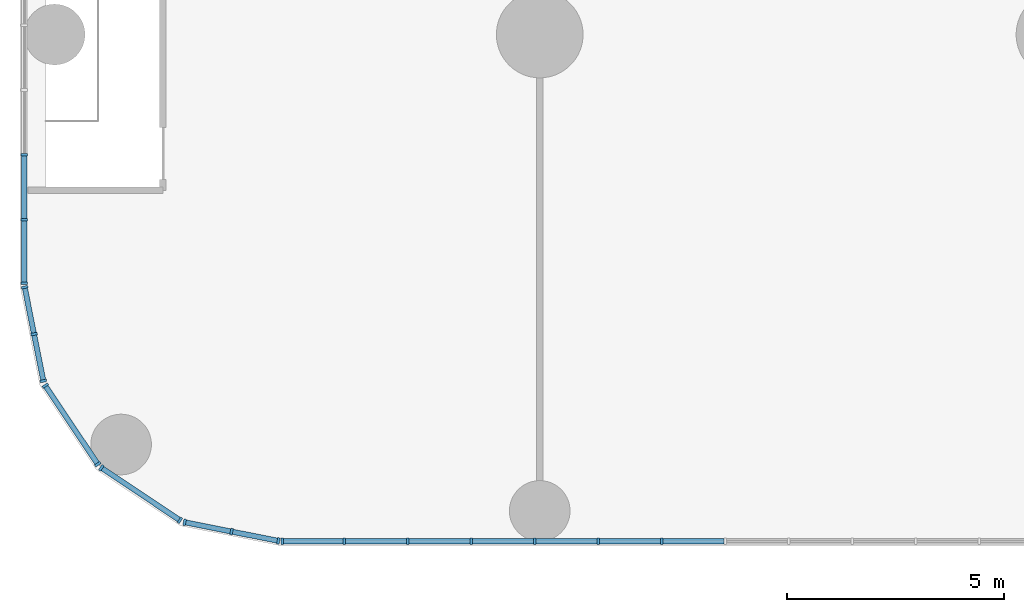
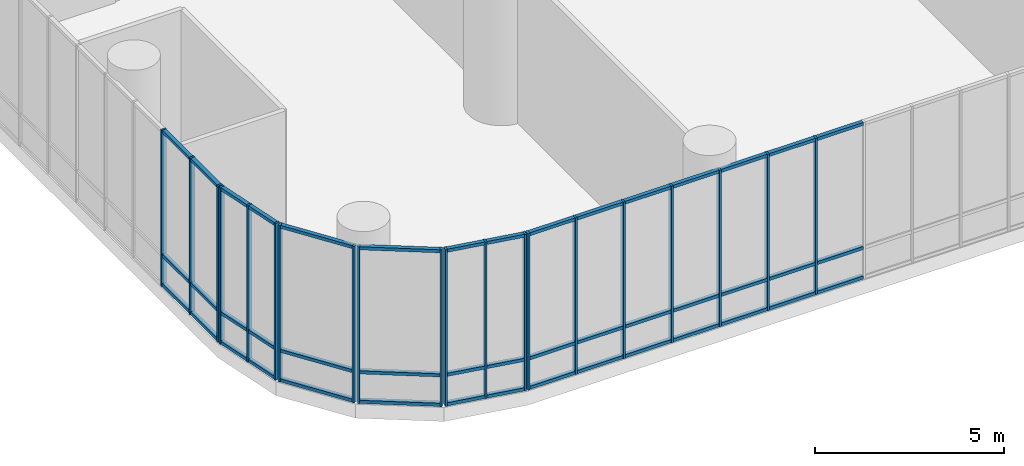
# One storey, part 2 of 30: 65 members, 6 elements without a shape of their own.
"""IFC4 building model written with IfcOpenShell, lengths in metres."""

from ifc_helpers import new_model, si_unit, direction, frame, origin, origin_2d, place, context, subcontext, project, spatial, rectangle, extrude, material, layer, layer_set, material_profile, profile_set, type_object, element, aggregate, save


model = new_model("IFC4")

# Units and contexts
model_context = context("Model", 3, precision=1e-05, world=origin(), true_north=direction((0.0, 1.0)))
body_context = subcontext(model_context, "Body", "Model", "MODEL_VIEW")
ifc_project = project(units=[si_unit("LENGTHUNIT", "METRE"), si_unit("AREAUNIT", "SQUARE_METRE"), si_unit("VOLUMEUNIT", "CUBIC_METRE"), si_unit("PLANEANGLEUNIT", "RADIAN"), si_unit("MASSUNIT", "GRAM", prefix="KILO")], contexts=[model_context])

# Site, building, storey
site_placement = place(None, origin())
site = spatial("IfcSite", under=ifc_project, at=site_placement, CompositionType="ELEMENT")
building_placement = place(site_placement, origin())
building = spatial("IfcBuilding", under=site, at=building_placement, Name="Torana Hotel and Residences", CompositionType="ELEMENT")
storey_placement = place(building_placement, frame((0.0, 0.0, 12.5)))
storey = spatial("IfcBuildingStorey", under=building, at=storey_placement, Name="L02", CompositionType="ELEMENT", Elevation=12.5)

# Curtain wall, members
ifc_material_1 = material(Name="Dark anodised aluminium", Category="aluminium")
ifc_layer = layer(ifc_material_1, 0.14990234375)
ifc_layer_set = layer_set([ifc_layer], Name="CW5 PODIUM UPPER UNITISED CURTAIN WALL")
curtain_wall_type = type_object("IfcCurtainWallType", Name="CW5 PODIUM UPPER UNITISED CURTAIN WALL", PredefinedType="NOTDEFINED", material=ifc_layer_set)
curtain_wall_1_placement = place(storey_placement, origin())
curtain_wall_1 = element("IfcCurtainWall", 1, at=curtain_wall_1_placement, inside=storey, type_object=curtain_wall_type, Name="Curtain wall CW5 L02 e0.0", PredefinedType="NOTDEFINED")
ifc_material_2 = material(Name="Dark anodised aluminium", Category="aluminium")
ifc_material_profile_1 = material_profile(ifc_material_2, rectangle(XDim=0.14990234375, YDim=0.06005859375, at=origin_2d()), Name="CW5 MULLION 60x150")
ifc_profile_set_1 = profile_set([ifc_material_profile_1], Name="Dark anodised aluminium")
member_type_1 = type_object("IfcMemberType", Name="CW5 MULLION 60x150", PredefinedType="MULLION", material=ifc_profile_set_1)
member_1_placement = place(storey_placement, frame((-41.9453125, -39.89990234375, 0.0), z_axis=(0.0, 0.0, 1.0), x_axis=(0.0, 1.0, 0.0)))
member_1 = element("IfcMember", 2, at=member_1_placement, type_object=member_type_1, Name="CW5 mullion 1", PredefinedType="MULLION", context=body_context, shape_type="SweptSolid", body=[
    extrude(rectangle(XDim=0.14990234375, YDim=0.06005859375, at=origin_2d()), origin(), (0.0, 0.0, 1.0), 5.050048828125),
])
member_2_placement = place(storey_placement, frame((-40.510009765625, -39.89990234375, 0.0), z_axis=(0.0, 0.0, 1.0), x_axis=(0.0, 1.0, 0.0)))
member_2 = element("IfcMember", 3, at=member_2_placement, type_object=member_type_1, Name="CW5 mullion 2", PredefinedType="MULLION", context=body_context, shape_type="SweptSolid", body=[
    extrude(rectangle(XDim=0.14990234375, YDim=0.06005859375, at=origin_2d()), origin(), (0.0, 0.0, 1.0), 5.050048828125),
])
member_3_placement = place(storey_placement, frame((-39.04443359375, -39.89990234375, 0.0), z_axis=(0.0, 0.0, 1.0), x_axis=(0.0, 1.0, 0.0)))
member_3 = element("IfcMember", 4, at=member_3_placement, type_object=member_type_1, Name="CW5 mullion 3", PredefinedType="MULLION", context=body_context, shape_type="SweptSolid", body=[
    extrude(rectangle(XDim=0.14990234375, YDim=0.06005859375, at=origin_2d()), origin(), (0.0, 0.0, 1.0), 5.050048828125),
])
member_4_placement = place(storey_placement, frame((-37.578857421875, -39.89990234375, 0.0), z_axis=(0.0, 0.0, 1.0), x_axis=(0.0, 1.0, 0.0)))
member_4 = element("IfcMember", 5, at=member_4_placement, type_object=member_type_1, Name="CW5 mullion 4", PredefinedType="MULLION", context=body_context, shape_type="SweptSolid", body=[
    extrude(rectangle(XDim=0.14990234375, YDim=0.06005859375, at=origin_2d()), origin(), (0.0, 0.0, 1.0), 5.050048828125),
])
member_5_placement = place(storey_placement, frame((-36.113525390625, -39.89990234375, 0.0), z_axis=(0.0, 0.0, 1.0), x_axis=(0.0, 1.0, 0.0)))
member_5 = element("IfcMember", 6, at=member_5_placement, type_object=member_type_1, Name="CW5 mullion 5", PredefinedType="MULLION", context=body_context, shape_type="SweptSolid", body=[
    extrude(rectangle(XDim=0.14990234375, YDim=0.06005859375, at=origin_2d()), origin(), (0.0, 0.0, 1.0), 5.050048828125),
])
member_6_placement = place(storey_placement, frame((-34.64794921875, -39.89990234375, 0.0), z_axis=(0.0, 0.0, 1.0), x_axis=(0.0, 1.0, 0.0)))
member_6 = element("IfcMember", 7, at=member_6_placement, type_object=member_type_1, Name="CW5 mullion 6", PredefinedType="MULLION", context=body_context, shape_type="SweptSolid", body=[
    extrude(rectangle(XDim=0.14990234375, YDim=0.06005859375, at=origin_2d()), origin(), (0.0, 0.0, 1.0), 5.050048828125),
])
member_7_placement = place(storey_placement, frame((-33.182373046875, -39.89990234375, 0.0), z_axis=(0.0, 0.0, 1.0), x_axis=(0.0, 1.0, 0.0)))
member_7 = element("IfcMember", 8, at=member_7_placement, type_object=member_type_1, Name="CW5 mullion 7", PredefinedType="MULLION", context=body_context, shape_type="SweptSolid", body=[
    extrude(rectangle(XDim=0.14990234375, YDim=0.06005859375, at=origin_2d()), origin(), (0.0, 0.0, 1.0), 5.050048828125),
])

curtain_wall_2_placement = place(storey_placement, origin())
curtain_wall_2 = element("IfcCurtainWall", 9, at=curtain_wall_2_placement, inside=storey, type_object=curtain_wall_type, Name="Curtain wall CW5 L02 e0.7", PredefinedType="NOTDEFINED")
member_8_placement = place(storey_placement, frame((-47.89990234375, -30.9794921875, 0.0), z_axis=(0.0, 0.0, 1.0), x_axis=(1.0, 0.0, 0.0)))
member_8 = element("IfcMember", 10, at=member_8_placement, type_object=member_type_1, Name="CW5 mullion 23", PredefinedType="MULLION", context=body_context, shape_type="SweptSolid", body=[
    extrude(rectangle(XDim=0.14990234375, YDim=0.06005859375, at=origin_2d()), origin(), (0.0, 0.0, 1.0), 5.050048828125),
])
member_9_placement = place(storey_placement, frame((-47.89990234375, -32.4775390625, 0.0), z_axis=(0.0, 0.0, 1.0), x_axis=(1.0, 0.0, 0.0)))
member_9 = element("IfcMember", 11, at=member_9_placement, type_object=member_type_1, Name="CW5 mullion 24", PredefinedType="MULLION", context=body_context, shape_type="SweptSolid", body=[
    extrude(rectangle(XDim=0.14990234375, YDim=0.06005859375, at=origin_2d()), origin(), (0.0, 0.0, 1.0), 5.050048828125),
])
member_10_placement = place(storey_placement, frame((-47.89990234375, -33.9453125, 0.0), z_axis=(0.0, 0.0, 1.0), x_axis=(1.0, 0.0, 0.0)))
member_10 = element("IfcMember", 12, at=member_10_placement, type_object=member_type_1, Name="CW5 mullion 25", PredefinedType="MULLION", context=body_context, shape_type="SweptSolid", body=[
    extrude(rectangle(XDim=0.14990234375, YDim=0.06005859375, at=origin_2d()), origin(), (0.0, 0.0, 1.0), 5.050048828125),
])

curtain_wall_3_placement = place(storey_placement, origin())
curtain_wall_3 = element("IfcCurtainWall", 13, at=curtain_wall_3_placement, inside=storey, type_object=curtain_wall_type, Name="Curtain wall CW5 L02 e0.8", PredefinedType="NOTDEFINED")
member_11_placement = place(storey_placement, frame((-47.891357421875, -34.033935546875, 0.0), z_axis=(0.0, 0.0, 1.0), x_axis=(0.980787135335, 0.195080996415, 0.0)))
member_11 = element("IfcMember", 14, at=member_11_placement, type_object=member_type_1, Name="CW5 mullion 1", PredefinedType="MULLION", context=body_context, shape_type="SweptSolid", body=[
    extrude(rectangle(XDim=0.14990234375, YDim=0.06005859375, at=origin_2d()), origin(), (0.0, 0.0, 1.0), 5.050048828125),
])
member_12_placement = place(storey_placement, frame((-47.676025390625, -35.1162109375, 0.0), z_axis=(0.0, 0.0, 1.0), x_axis=(0.980787135335, 0.195080996415, 0.0)))
member_12 = element("IfcMember", 15, at=member_12_placement, type_object=member_type_1, Name="CW5 mullion 2", PredefinedType="MULLION", context=body_context, shape_type="SweptSolid", body=[
    extrude(rectangle(XDim=0.14990234375, YDim=0.06005859375, at=origin_2d()), origin(), (0.0, 0.0, 1.0), 5.050048828125),
])
member_13_placement = place(storey_placement, frame((-47.460693359375, -36.198486328125, 0.0), z_axis=(0.0, 0.0, 1.0), x_axis=(0.980787135335, 0.195080996415, 0.0)))
member_13 = element("IfcMember", 16, at=member_13_placement, type_object=member_type_1, Name="CW5 mullion 3", PredefinedType="MULLION", context=body_context, shape_type="SweptSolid", body=[
    extrude(rectangle(XDim=0.14990234375, YDim=0.06005859375, at=origin_2d()), origin(), (0.0, 0.0, 1.0), 5.050048828125),
])

curtain_wall_4_placement = place(storey_placement, origin())
curtain_wall_4 = element("IfcCurtainWall", 17, at=curtain_wall_4_placement, inside=storey, type_object=curtain_wall_type, Name="Curtain wall CW5 L02 e0.9", PredefinedType="NOTDEFINED")
member_14_placement = place(storey_placement, frame((-47.415771484375, -36.306884765625, 0.0), z_axis=(0.0, 0.0, 1.0), x_axis=(0.831459585616, 0.555585238723, 0.0)))
member_14 = element("IfcMember", 18, at=member_14_placement, type_object=member_type_1, Name="CW5 mullion 1", PredefinedType="MULLION", context=body_context, shape_type="SweptSolid", body=[
    extrude(rectangle(XDim=0.14990234375, YDim=0.06005859375, at=origin_2d()), origin(), (0.0, 0.0, 1.0), 5.050048828125),
])
member_15_placement = place(storey_placement, frame((-46.203857421875, -38.120849609375, 0.0), z_axis=(0.0, 0.0, 1.0), x_axis=(0.831459585616, 0.555585238723, 0.0)))
member_15 = element("IfcMember", 19, at=member_15_placement, type_object=member_type_1, Name="CW5 mullion 2", PredefinedType="MULLION", context=body_context, shape_type="SweptSolid", body=[
    extrude(rectangle(XDim=0.14990234375, YDim=0.06005859375, at=origin_2d()), origin(), (0.0, 0.0, 1.0), 5.050048828125),
])

curtain_wall_5_placement = place(storey_placement, origin())
curtain_wall_5 = element("IfcCurtainWall", 20, at=curtain_wall_5_placement, inside=storey, type_object=curtain_wall_type, Name="Curtain wall CW5 L02 e0.10", PredefinedType="NOTDEFINED")
member_16_placement = place(storey_placement, frame((-46.120849609375, -38.203857421875, 0.0), z_axis=(0.0, 0.0, 1.0), x_axis=(0.555585238723, 0.831459585616, 0.0)))
member_16 = element("IfcMember", 21, at=member_16_placement, type_object=member_type_1, Name="CW5 mullion 1", PredefinedType="MULLION", context=body_context, shape_type="SweptSolid", body=[
    extrude(rectangle(XDim=0.14990234375, YDim=0.06005859375, at=origin_2d()), origin(), (0.0, 0.0, 1.0), 5.050048828125),
])
member_17_placement = place(storey_placement, frame((-44.306884765625, -39.415771484375, 0.0), z_axis=(0.0, 0.0, 1.0), x_axis=(0.555585238723, 0.831459585616, 0.0)))
member_17 = element("IfcMember", 22, at=member_17_placement, type_object=member_type_1, Name="CW5 mullion 2", PredefinedType="MULLION", context=body_context, shape_type="SweptSolid", body=[
    extrude(rectangle(XDim=0.14990234375, YDim=0.06005859375, at=origin_2d()), origin(), (0.0, 0.0, 1.0), 5.050048828125),
])

curtain_wall_6_placement = place(storey_placement, origin())
curtain_wall_6 = element("IfcCurtainWall", 23, at=curtain_wall_6_placement, inside=storey, type_object=curtain_wall_type, Name="Curtain wall CW5 L02 e0.11", PredefinedType="NOTDEFINED")
member_18_placement = place(storey_placement, frame((-44.198486328125, -39.460693359375, 0.0), z_axis=(0.0, 0.0, 1.0), x_axis=(0.195080996415, 0.980787135335, 0.0)))
member_18 = element("IfcMember", 24, at=member_18_placement, type_object=member_type_1, Name="CW5 mullion 1", PredefinedType="MULLION", context=body_context, shape_type="SweptSolid", body=[
    extrude(rectangle(XDim=0.14990234375, YDim=0.06005859375, at=origin_2d()), origin(), (0.0, 0.0, 1.0), 5.050048828125),
])
member_19_placement = place(storey_placement, frame((-43.1162109375, -39.676025390625, 0.0), z_axis=(0.0, 0.0, 1.0), x_axis=(0.195080996415, 0.980787135335, 0.0)))
member_19 = element("IfcMember", 25, at=member_19_placement, type_object=member_type_1, Name="CW5 mullion 2", PredefinedType="MULLION", context=body_context, shape_type="SweptSolid", body=[
    extrude(rectangle(XDim=0.14990234375, YDim=0.06005859375, at=origin_2d()), origin(), (0.0, 0.0, 1.0), 5.050048828125),
])
member_20_placement = place(storey_placement, frame((-42.033935546875, -39.891357421875, 0.0), z_axis=(0.0, 0.0, 1.0), x_axis=(0.195080996415, 0.980787135335, 0.0)))
member_20 = element("IfcMember", 26, at=member_20_placement, type_object=member_type_1, Name="CW5 mullion 3", PredefinedType="MULLION", context=body_context, shape_type="SweptSolid", body=[
    extrude(rectangle(XDim=0.14990234375, YDim=0.06005859375, at=origin_2d()), origin(), (0.0, 0.0, 1.0), 5.050048828125),
])

# Member
ifc_material_3 = material(Name="Dark anodised aluminium", Category="aluminium")
ifc_material_profile_2 = material_profile(ifc_material_3, rectangle(XDim=0.1201171875, YDim=0.10009765625, at=origin_2d()), Name="CW5 TRANSOM 120x100")
ifc_profile_set_2 = profile_set([ifc_material_profile_2], Name="Dark anodised aluminium")
member_type_2 = type_object("IfcMemberType", Name="CW5 TRANSOM 120x100", PredefinedType="USERDEFINED", material=ifc_profile_set_2)
member_21_placement = place(storey_placement, frame((-41.915283203125, -39.89990234375, 0.050048828125), z_axis=(1.0, 0.0, 0.0), x_axis=(0.0, 1.0, 0.0)))
member_21 = element("IfcMember", 27, at=member_21_placement, type_object=member_type_2, Name="CW5 transom 1.1", ObjectType="TRANSOM", PredefinedType="USERDEFINED", context=body_context, shape_type="SweptSolid", body=[
    extrude(rectangle(XDim=0.1201171875, YDim=0.10009765625, at=origin_2d()), origin(), (0.0, 0.0, 1.0), 1.37548828125),
])

member_22_placement = place(storey_placement, frame((-41.915283203125, -39.89990234375, 1.0), z_axis=(1.0, 0.0, 0.0), x_axis=(0.0, 1.0, 0.0)))
member_22 = element("IfcMember", 28, at=member_22_placement, type_object=member_type_2, Name="CW5 transom 1.2", ObjectType="TRANSOM", PredefinedType="USERDEFINED", context=body_context, shape_type="SweptSolid", body=[
    extrude(rectangle(XDim=0.1201171875, YDim=0.10009765625, at=origin_2d()), origin(), (0.0, 0.0, 1.0), 1.37548828125),
])

member_23_placement = place(storey_placement, frame((-41.915283203125, -39.89990234375, 5.0), z_axis=(1.0, 0.0, 0.0), x_axis=(0.0, 1.0, 0.0)))
member_23 = element("IfcMember", 29, at=member_23_placement, type_object=member_type_2, Name="CW5 transom 1.3", ObjectType="TRANSOM", PredefinedType="USERDEFINED", context=body_context, shape_type="SweptSolid", body=[
    extrude(rectangle(XDim=0.1201171875, YDim=0.10009765625, at=origin_2d()), origin(), (0.0, 0.0, 1.0), 1.37548828125),
])

member_24_placement = place(storey_placement, frame((-40.47998046875, -39.89990234375, 0.050048828125), z_axis=(1.0, 0.0, 0.0), x_axis=(0.0, 1.0, 0.0)))
member_24 = element("IfcMember", 30, at=member_24_placement, type_object=member_type_2, Name="CW5 transom 2.1", ObjectType="TRANSOM", PredefinedType="USERDEFINED", context=body_context, shape_type="SweptSolid", body=[
    extrude(rectangle(XDim=0.1201171875, YDim=0.10009765625, at=origin_2d()), origin(), (0.0, 0.0, 1.0), 1.405517578125),
])

member_25_placement = place(storey_placement, frame((-40.47998046875, -39.89990234375, 1.0), z_axis=(1.0, 0.0, 0.0), x_axis=(0.0, 1.0, 0.0)))
member_25 = element("IfcMember", 31, at=member_25_placement, type_object=member_type_2, Name="CW5 transom 2.2", ObjectType="TRANSOM", PredefinedType="USERDEFINED", context=body_context, shape_type="SweptSolid", body=[
    extrude(rectangle(XDim=0.1201171875, YDim=0.10009765625, at=origin_2d()), origin(), (0.0, 0.0, 1.0), 1.405517578125),
])

member_26_placement = place(storey_placement, frame((-40.47998046875, -39.89990234375, 5.0), z_axis=(1.0, 0.0, 0.0), x_axis=(0.0, 1.0, 0.0)))
member_26 = element("IfcMember", 32, at=member_26_placement, type_object=member_type_2, Name="CW5 transom 2.3", ObjectType="TRANSOM", PredefinedType="USERDEFINED", context=body_context, shape_type="SweptSolid", body=[
    extrude(rectangle(XDim=0.1201171875, YDim=0.10009765625, at=origin_2d()), origin(), (0.0, 0.0, 1.0), 1.405517578125),
])

member_27_placement = place(storey_placement, frame((-39.014404296875, -39.89990234375, 0.050048828125), z_axis=(1.0, 0.0, 0.0), x_axis=(0.0, 1.0, 0.0)))
member_27 = element("IfcMember", 33, at=member_27_placement, type_object=member_type_2, Name="CW5 transom 3.1", ObjectType="TRANSOM", PredefinedType="USERDEFINED", context=body_context, shape_type="SweptSolid", body=[
    extrude(rectangle(XDim=0.1201171875, YDim=0.10009765625, at=origin_2d()), origin(), (0.0, 0.0, 1.0), 1.405517578125),
])

member_28_placement = place(storey_placement, frame((-39.014404296875, -39.89990234375, 1.0), z_axis=(1.0, 0.0, 0.0), x_axis=(0.0, 1.0, 0.0)))
member_28 = element("IfcMember", 34, at=member_28_placement, type_object=member_type_2, Name="CW5 transom 3.2", ObjectType="TRANSOM", PredefinedType="USERDEFINED", context=body_context, shape_type="SweptSolid", body=[
    extrude(rectangle(XDim=0.1201171875, YDim=0.10009765625, at=origin_2d()), origin(), (0.0, 0.0, 1.0), 1.405517578125),
])

member_29_placement = place(storey_placement, frame((-39.014404296875, -39.89990234375, 5.0), z_axis=(1.0, 0.0, 0.0), x_axis=(0.0, 1.0, 0.0)))
member_29 = element("IfcMember", 35, at=member_29_placement, type_object=member_type_2, Name="CW5 transom 3.3", ObjectType="TRANSOM", PredefinedType="USERDEFINED", context=body_context, shape_type="SweptSolid", body=[
    extrude(rectangle(XDim=0.1201171875, YDim=0.10009765625, at=origin_2d()), origin(), (0.0, 0.0, 1.0), 1.405517578125),
])

member_30_placement = place(storey_placement, frame((-37.548828125, -39.89990234375, 0.050048828125), z_axis=(1.0, 0.0, 0.0), x_axis=(0.0, 1.0, 0.0)))
member_30 = element("IfcMember", 36, at=member_30_placement, type_object=member_type_2, Name="CW5 transom 4.1", ObjectType="TRANSOM", PredefinedType="USERDEFINED", context=body_context, shape_type="SweptSolid", body=[
    extrude(rectangle(XDim=0.1201171875, YDim=0.10009765625, at=origin_2d()), origin(), (0.0, 0.0, 1.0), 1.405517578125),
])

member_31_placement = place(storey_placement, frame((-37.548828125, -39.89990234375, 1.0), z_axis=(1.0, 0.0, 0.0), x_axis=(0.0, 1.0, 0.0)))
member_31 = element("IfcMember", 37, at=member_31_placement, type_object=member_type_2, Name="CW5 transom 4.2", ObjectType="TRANSOM", PredefinedType="USERDEFINED", context=body_context, shape_type="SweptSolid", body=[
    extrude(rectangle(XDim=0.1201171875, YDim=0.10009765625, at=origin_2d()), origin(), (0.0, 0.0, 1.0), 1.405517578125),
])

member_32_placement = place(storey_placement, frame((-37.548828125, -39.89990234375, 5.0), z_axis=(1.0, 0.0, 0.0), x_axis=(0.0, 1.0, 0.0)))
member_32 = element("IfcMember", 38, at=member_32_placement, type_object=member_type_2, Name="CW5 transom 4.3", ObjectType="TRANSOM", PredefinedType="USERDEFINED", context=body_context, shape_type="SweptSolid", body=[
    extrude(rectangle(XDim=0.1201171875, YDim=0.10009765625, at=origin_2d()), origin(), (0.0, 0.0, 1.0), 1.405517578125),
])

member_33_placement = place(storey_placement, frame((-36.08349609375, -39.89990234375, 0.050048828125), z_axis=(1.0, 0.0, 0.0), x_axis=(0.0, 1.0, 0.0)))
member_33 = element("IfcMember", 39, at=member_33_placement, type_object=member_type_2, Name="CW5 transom 5.1", ObjectType="TRANSOM", PredefinedType="USERDEFINED", context=body_context, shape_type="SweptSolid", body=[
    extrude(rectangle(XDim=0.1201171875, YDim=0.10009765625, at=origin_2d()), origin(), (0.0, 0.0, 1.0), 1.405517578125),
])

member_34_placement = place(storey_placement, frame((-36.08349609375, -39.89990234375, 1.0), z_axis=(1.0, 0.0, 0.0), x_axis=(0.0, 1.0, 0.0)))
member_34 = element("IfcMember", 40, at=member_34_placement, type_object=member_type_2, Name="CW5 transom 5.2", ObjectType="TRANSOM", PredefinedType="USERDEFINED", context=body_context, shape_type="SweptSolid", body=[
    extrude(rectangle(XDim=0.1201171875, YDim=0.10009765625, at=origin_2d()), origin(), (0.0, 0.0, 1.0), 1.405517578125),
])

member_35_placement = place(storey_placement, frame((-36.08349609375, -39.89990234375, 5.0), z_axis=(1.0, 0.0, 0.0), x_axis=(0.0, 1.0, 0.0)))
member_35 = element("IfcMember", 41, at=member_35_placement, type_object=member_type_2, Name="CW5 transom 5.3", ObjectType="TRANSOM", PredefinedType="USERDEFINED", context=body_context, shape_type="SweptSolid", body=[
    extrude(rectangle(XDim=0.1201171875, YDim=0.10009765625, at=origin_2d()), origin(), (0.0, 0.0, 1.0), 1.405517578125),
])

member_36_placement = place(storey_placement, frame((-34.617919921875, -39.89990234375, 0.050048828125), z_axis=(1.0, 0.0, 0.0), x_axis=(0.0, 1.0, 0.0)))
member_36 = element("IfcMember", 42, at=member_36_placement, type_object=member_type_2, Name="CW5 transom 6.1", ObjectType="TRANSOM", PredefinedType="USERDEFINED", context=body_context, shape_type="SweptSolid", body=[
    extrude(rectangle(XDim=0.1201171875, YDim=0.10009765625, at=origin_2d()), origin(), (0.0, 0.0, 1.0), 1.405517578125),
])

member_37_placement = place(storey_placement, frame((-34.617919921875, -39.89990234375, 1.0), z_axis=(1.0, 0.0, 0.0), x_axis=(0.0, 1.0, 0.0)))
member_37 = element("IfcMember", 43, at=member_37_placement, type_object=member_type_2, Name="CW5 transom 6.2", ObjectType="TRANSOM", PredefinedType="USERDEFINED", context=body_context, shape_type="SweptSolid", body=[
    extrude(rectangle(XDim=0.1201171875, YDim=0.10009765625, at=origin_2d()), origin(), (0.0, 0.0, 1.0), 1.405517578125),
])

member_38_placement = place(storey_placement, frame((-34.617919921875, -39.89990234375, 5.0), z_axis=(1.0, 0.0, 0.0), x_axis=(0.0, 1.0, 0.0)))
member_38 = element("IfcMember", 44, at=member_38_placement, type_object=member_type_2, Name="CW5 transom 6.3", ObjectType="TRANSOM", PredefinedType="USERDEFINED", context=body_context, shape_type="SweptSolid", body=[
    extrude(rectangle(XDim=0.1201171875, YDim=0.10009765625, at=origin_2d()), origin(), (0.0, 0.0, 1.0), 1.405517578125),
])

member_39_placement = place(storey_placement, frame((-33.15234375, -39.89990234375, 0.050048828125), z_axis=(1.0, 0.0, 0.0), x_axis=(0.0, 1.0, 0.0)))
member_39 = element("IfcMember", 45, at=member_39_placement, type_object=member_type_2, Name="CW5 transom 7.1", ObjectType="TRANSOM", PredefinedType="USERDEFINED", context=body_context, shape_type="SweptSolid", body=[
    extrude(rectangle(XDim=0.1201171875, YDim=0.10009765625, at=origin_2d()), origin(), (0.0, 0.0, 1.0), 1.405517578125),
])

member_40_placement = place(storey_placement, frame((-33.15234375, -39.89990234375, 1.0), z_axis=(1.0, 0.0, 0.0), x_axis=(0.0, 1.0, 0.0)))
member_40 = element("IfcMember", 46, at=member_40_placement, type_object=member_type_2, Name="CW5 transom 7.2", ObjectType="TRANSOM", PredefinedType="USERDEFINED", context=body_context, shape_type="SweptSolid", body=[
    extrude(rectangle(XDim=0.1201171875, YDim=0.10009765625, at=origin_2d()), origin(), (0.0, 0.0, 1.0), 1.405517578125),
])

member_41_placement = place(storey_placement, frame((-33.15234375, -39.89990234375, 5.0), z_axis=(1.0, 0.0, 0.0), x_axis=(0.0, 1.0, 0.0)))
member_41 = element("IfcMember", 47, at=member_41_placement, type_object=member_type_2, Name="CW5 transom 7.3", ObjectType="TRANSOM", PredefinedType="USERDEFINED", context=body_context, shape_type="SweptSolid", body=[
    extrude(rectangle(XDim=0.1201171875, YDim=0.10009765625, at=origin_2d()), origin(), (0.0, 0.0, 1.0), 1.405517578125),
])

aggregate(curtain_wall_1, [member_1, member_2, member_3, member_4, member_5, member_6, member_7, member_21, member_22, member_23, member_24, member_25, member_26, member_27, member_28, member_29, member_30, member_31, member_32, member_33, member_34, member_35, member_36, member_37, member_38, member_39, member_40, member_41])

member_42_placement = place(storey_placement, frame((-47.89990234375, -31.009521484375, 0.050048828125), z_axis=(0.0, -1.0, 0.0), x_axis=(1.0, 0.0, 0.0)))
member_42 = element("IfcMember", 48, at=member_42_placement, type_object=member_type_2, Name="CW5 transom 23.1", ObjectType="TRANSOM", PredefinedType="USERDEFINED", context=body_context, shape_type="SweptSolid", body=[
    extrude(rectangle(XDim=0.1201171875, YDim=0.10009765625, at=origin_2d()), origin(), (0.0, 0.0, 1.0), 1.43798828125),
])

member_43_placement = place(storey_placement, frame((-47.89990234375, -31.009521484375, 1.0), z_axis=(0.0, -1.0, 0.0), x_axis=(1.0, 0.0, 0.0)))
member_43 = element("IfcMember", 49, at=member_43_placement, type_object=member_type_2, Name="CW5 transom 23.2", ObjectType="TRANSOM", PredefinedType="USERDEFINED", context=body_context, shape_type="SweptSolid", body=[
    extrude(rectangle(XDim=0.1201171875, YDim=0.10009765625, at=origin_2d()), origin(), (0.0, 0.0, 1.0), 1.43798828125),
])

member_44_placement = place(storey_placement, frame((-47.89990234375, -31.009521484375, 5.0), z_axis=(0.0, -1.0, 0.0), x_axis=(1.0, 0.0, 0.0)))
member_44 = element("IfcMember", 50, at=member_44_placement, type_object=member_type_2, Name="CW5 transom 23.3", ObjectType="TRANSOM", PredefinedType="USERDEFINED", context=body_context, shape_type="SweptSolid", body=[
    extrude(rectangle(XDim=0.1201171875, YDim=0.10009765625, at=origin_2d()), origin(), (0.0, 0.0, 1.0), 1.43798828125),
])

member_45_placement = place(storey_placement, frame((-47.89990234375, -32.507568359375, 0.050048828125), z_axis=(0.0, -1.0, 0.0), x_axis=(1.0, 0.0, 0.0)))
member_45 = element("IfcMember", 51, at=member_45_placement, type_object=member_type_2, Name="CW5 transom 24.1", ObjectType="TRANSOM", PredefinedType="USERDEFINED", context=body_context, shape_type="SweptSolid", body=[
    extrude(rectangle(XDim=0.1201171875, YDim=0.10009765625, at=origin_2d()), origin(), (0.0, 0.0, 1.0), 1.40771484375),
])

member_46_placement = place(storey_placement, frame((-47.89990234375, -32.507568359375, 1.0), z_axis=(0.0, -1.0, 0.0), x_axis=(1.0, 0.0, 0.0)))
member_46 = element("IfcMember", 52, at=member_46_placement, type_object=member_type_2, Name="CW5 transom 24.2", ObjectType="TRANSOM", PredefinedType="USERDEFINED", context=body_context, shape_type="SweptSolid", body=[
    extrude(rectangle(XDim=0.1201171875, YDim=0.10009765625, at=origin_2d()), origin(), (0.0, 0.0, 1.0), 1.40771484375),
])

member_47_placement = place(storey_placement, frame((-47.89990234375, -32.507568359375, 5.0), z_axis=(0.0, -1.0, 0.0), x_axis=(1.0, 0.0, 0.0)))
member_47 = element("IfcMember", 53, at=member_47_placement, type_object=member_type_2, Name="CW5 transom 24.3", ObjectType="TRANSOM", PredefinedType="USERDEFINED", context=body_context, shape_type="SweptSolid", body=[
    extrude(rectangle(XDim=0.1201171875, YDim=0.10009765625, at=origin_2d()), origin(), (0.0, 0.0, 1.0), 1.40771484375),
])

aggregate(curtain_wall_2, [member_8, member_9, member_10, member_42, member_43, member_44, member_45, member_46, member_47])

member_48_placement = place(storey_placement, frame((-47.885498046875, -34.0634765625, 0.050048828125), z_axis=(0.195170971557, -0.980769234765, 0.0), x_axis=(0.980769234765, 0.195170971557, 0.0)))
member_48 = element("IfcMember", 54, at=member_48_placement, type_object=member_type_2, Name="CW5 transom 1.1", ObjectType="TRANSOM", PredefinedType="USERDEFINED", context=body_context, shape_type="SweptSolid", body=[
    extrude(rectangle(XDim=0.1201171875, YDim=0.10009765625, at=origin_2d()), origin(), (0.0, 0.0, 1.0), 1.043212890625),
])

member_49_placement = place(storey_placement, frame((-47.885498046875, -34.0634765625, 1.0), z_axis=(0.195170971557, -0.980769234765, 0.0), x_axis=(0.980769234765, 0.195170971557, 0.0)))
member_49 = element("IfcMember", 55, at=member_49_placement, type_object=member_type_2, Name="CW5 transom 1.2", ObjectType="TRANSOM", PredefinedType="USERDEFINED", context=body_context, shape_type="SweptSolid", body=[
    extrude(rectangle(XDim=0.1201171875, YDim=0.10009765625, at=origin_2d()), origin(), (0.0, 0.0, 1.0), 1.043212890625),
])

member_50_placement = place(storey_placement, frame((-47.885498046875, -34.0634765625, 5.0), z_axis=(0.195170971557, -0.980769234765, 0.0), x_axis=(0.980769234765, 0.195170971557, 0.0)))
member_50 = element("IfcMember", 56, at=member_50_placement, type_object=member_type_2, Name="CW5 transom 1.3", ObjectType="TRANSOM", PredefinedType="USERDEFINED", context=body_context, shape_type="SweptSolid", body=[
    extrude(rectangle(XDim=0.1201171875, YDim=0.10009765625, at=origin_2d()), origin(), (0.0, 0.0, 1.0), 1.043212890625),
])

member_51_placement = place(storey_placement, frame((-47.670166015625, -35.1455078125, 0.050048828125), z_axis=(0.195126186458, -0.980778145841, 0.0), x_axis=(0.980778145841, 0.195126186458, 0.0)))
member_51 = element("IfcMember", 57, at=member_51_placement, type_object=member_type_2, Name="CW5 transom 2.1", ObjectType="TRANSOM", PredefinedType="USERDEFINED", context=body_context, shape_type="SweptSolid", body=[
    extrude(rectangle(XDim=0.1201171875, YDim=0.10009765625, at=origin_2d()), origin(), (0.0, 0.0, 1.0), 1.04345703125),
])

member_52_placement = place(storey_placement, frame((-47.670166015625, -35.1455078125, 1.0), z_axis=(0.195126186458, -0.980778145841, 0.0), x_axis=(0.980778145841, 0.195126186458, 0.0)))
member_52 = element("IfcMember", 58, at=member_52_placement, type_object=member_type_2, Name="CW5 transom 2.2", ObjectType="TRANSOM", PredefinedType="USERDEFINED", context=body_context, shape_type="SweptSolid", body=[
    extrude(rectangle(XDim=0.1201171875, YDim=0.10009765625, at=origin_2d()), origin(), (0.0, 0.0, 1.0), 1.04345703125),
])

member_53_placement = place(storey_placement, frame((-47.670166015625, -35.1455078125, 5.0), z_axis=(0.195126186458, -0.980778145841, 0.0), x_axis=(0.980778145841, 0.195126186458, 0.0)))
member_53 = element("IfcMember", 59, at=member_53_placement, type_object=member_type_2, Name="CW5 transom 2.3", ObjectType="TRANSOM", PredefinedType="USERDEFINED", context=body_context, shape_type="SweptSolid", body=[
    extrude(rectangle(XDim=0.1201171875, YDim=0.10009765625, at=origin_2d()), origin(), (0.0, 0.0, 1.0), 1.04345703125),
])

aggregate(curtain_wall_3, [member_11, member_12, member_13, member_48, member_49, member_50, member_51, member_52, member_53])

member_54_placement = place(storey_placement, frame((-47.399169921875, -36.331787109375, 0.050048828125), z_axis=(0.555602799403, -0.831447851219, 0.0), x_axis=(0.831447851219, 0.555602799403, 0.0)))
member_54 = element("IfcMember", 60, at=member_54_placement, type_object=member_type_2, Name="CW5 transom 1.1", ObjectType="TRANSOM", PredefinedType="USERDEFINED", context=body_context, shape_type="SweptSolid", body=[
    extrude(rectangle(XDim=0.1201171875, YDim=0.10009765625, at=origin_2d()), origin(), (0.0, 0.0, 1.0), 2.12158203125),
])

member_55_placement = place(storey_placement, frame((-47.399169921875, -36.331787109375, 1.0), z_axis=(0.555602799403, -0.831447851219, 0.0), x_axis=(0.831447851219, 0.555602799403, 0.0)))
member_55 = element("IfcMember", 61, at=member_55_placement, type_object=member_type_2, Name="CW5 transom 1.2", ObjectType="TRANSOM", PredefinedType="USERDEFINED", context=body_context, shape_type="SweptSolid", body=[
    extrude(rectangle(XDim=0.1201171875, YDim=0.10009765625, at=origin_2d()), origin(), (0.0, 0.0, 1.0), 2.12158203125),
])

member_56_placement = place(storey_placement, frame((-47.399169921875, -36.331787109375, 5.0), z_axis=(0.555602799403, -0.831447851219, 0.0), x_axis=(0.831447851219, 0.555602799403, 0.0)))
member_56 = element("IfcMember", 62, at=member_56_placement, type_object=member_type_2, Name="CW5 transom 1.3", ObjectType="TRANSOM", PredefinedType="USERDEFINED", context=body_context, shape_type="SweptSolid", body=[
    extrude(rectangle(XDim=0.1201171875, YDim=0.10009765625, at=origin_2d()), origin(), (0.0, 0.0, 1.0), 2.12158203125),
])

aggregate(curtain_wall_4, [member_14, member_15, member_54, member_55, member_56])

member_57_placement = place(storey_placement, frame((-46.095703125, -38.220458984375, 0.050048828125), z_axis=(0.831447851219, -0.555602799403, 0.0), x_axis=(0.555602799403, 0.831447851219, 0.0)))
member_57 = element("IfcMember", 63, at=member_57_placement, type_object=member_type_2, Name="CW5 transom 1.1", ObjectType="TRANSOM", PredefinedType="USERDEFINED", context=body_context, shape_type="SweptSolid", body=[
    extrude(rectangle(XDim=0.1201171875, YDim=0.10009765625, at=origin_2d()), origin(), (0.0, 0.0, 1.0), 2.12158203125),
])

member_58_placement = place(storey_placement, frame((-46.095703125, -38.220458984375, 1.0), z_axis=(0.831447851219, -0.555602799403, 0.0), x_axis=(0.555602799403, 0.831447851219, 0.0)))
member_58 = element("IfcMember", 64, at=member_58_placement, type_object=member_type_2, Name="CW5 transom 1.2", ObjectType="TRANSOM", PredefinedType="USERDEFINED", context=body_context, shape_type="SweptSolid", body=[
    extrude(rectangle(XDim=0.1201171875, YDim=0.10009765625, at=origin_2d()), origin(), (0.0, 0.0, 1.0), 2.12158203125),
])

member_59_placement = place(storey_placement, frame((-46.095703125, -38.220458984375, 5.0), z_axis=(0.831447851219, -0.555602799403, 0.0), x_axis=(0.555602799403, 0.831447851219, 0.0)))
member_59 = element("IfcMember", 65, at=member_59_placement, type_object=member_type_2, Name="CW5 transom 1.3", ObjectType="TRANSOM", PredefinedType="USERDEFINED", context=body_context, shape_type="SweptSolid", body=[
    extrude(rectangle(XDim=0.1201171875, YDim=0.10009765625, at=origin_2d()), origin(), (0.0, 0.0, 1.0), 2.12158203125),
])

aggregate(curtain_wall_5, [member_16, member_17, member_57, member_58, member_59])

member_60_placement = place(storey_placement, frame((-44.1689453125, -39.466552734375, 0.050048828125), z_axis=(0.980778145841, -0.195126186458, 0.0), x_axis=(0.195126186458, 0.980778145841, 0.0)))
member_60 = element("IfcMember", 66, at=member_60_placement, type_object=member_type_2, Name="CW5 transom 1.1", ObjectType="TRANSOM", PredefinedType="USERDEFINED", context=body_context, shape_type="SweptSolid", body=[
    extrude(rectangle(XDim=0.1201171875, YDim=0.10009765625, at=origin_2d()), origin(), (0.0, 0.0, 1.0), 1.04345703125),
])

member_61_placement = place(storey_placement, frame((-44.1689453125, -39.466552734375, 1.0), z_axis=(0.980778145841, -0.195126186458, 0.0), x_axis=(0.195126186458, 0.980778145841, 0.0)))
member_61 = element("IfcMember", 67, at=member_61_placement, type_object=member_type_2, Name="CW5 transom 1.2", ObjectType="TRANSOM", PredefinedType="USERDEFINED", context=body_context, shape_type="SweptSolid", body=[
    extrude(rectangle(XDim=0.1201171875, YDim=0.10009765625, at=origin_2d()), origin(), (0.0, 0.0, 1.0), 1.04345703125),
])

member_62_placement = place(storey_placement, frame((-44.1689453125, -39.466552734375, 5.0), z_axis=(0.980778145841, -0.195126186458, 0.0), x_axis=(0.195126186458, 0.980778145841, 0.0)))
member_62 = element("IfcMember", 68, at=member_62_placement, type_object=member_type_2, Name="CW5 transom 1.3", ObjectType="TRANSOM", PredefinedType="USERDEFINED", context=body_context, shape_type="SweptSolid", body=[
    extrude(rectangle(XDim=0.1201171875, YDim=0.10009765625, at=origin_2d()), origin(), (0.0, 0.0, 1.0), 1.04345703125),
])

member_63_placement = place(storey_placement, frame((-43.086669921875, -39.681884765625, 0.050048828125), z_axis=(0.980769234765, -0.195170971557, 0.0), x_axis=(0.195170971557, 0.980769234765, 0.0)))
member_63 = element("IfcMember", 69, at=member_63_placement, type_object=member_type_2, Name="CW5 transom 2.1", ObjectType="TRANSOM", PredefinedType="USERDEFINED", context=body_context, shape_type="SweptSolid", body=[
    extrude(rectangle(XDim=0.1201171875, YDim=0.10009765625, at=origin_2d()), origin(), (0.0, 0.0, 1.0), 1.043212890625),
])

member_64_placement = place(storey_placement, frame((-43.086669921875, -39.681884765625, 1.0), z_axis=(0.980769234765, -0.195170971557, 0.0), x_axis=(0.195170971557, 0.980769234765, 0.0)))
member_64 = element("IfcMember", 70, at=member_64_placement, type_object=member_type_2, Name="CW5 transom 2.2", ObjectType="TRANSOM", PredefinedType="USERDEFINED", context=body_context, shape_type="SweptSolid", body=[
    extrude(rectangle(XDim=0.1201171875, YDim=0.10009765625, at=origin_2d()), origin(), (0.0, 0.0, 1.0), 1.043212890625),
])

member_65_placement = place(storey_placement, frame((-43.086669921875, -39.681884765625, 5.0), z_axis=(0.980769234765, -0.195170971557, 0.0), x_axis=(0.195170971557, 0.980769234765, 0.0)))
member_65 = element("IfcMember", 71, at=member_65_placement, type_object=member_type_2, Name="CW5 transom 2.3", ObjectType="TRANSOM", PredefinedType="USERDEFINED", context=body_context, shape_type="SweptSolid", body=[
    extrude(rectangle(XDim=0.1201171875, YDim=0.10009765625, at=origin_2d()), origin(), (0.0, 0.0, 1.0), 1.043212890625),
])

aggregate(curtain_wall_6, [member_18, member_19, member_20, member_60, member_61, member_62, member_63, member_64, member_65])

save(model, "model.ifc")
